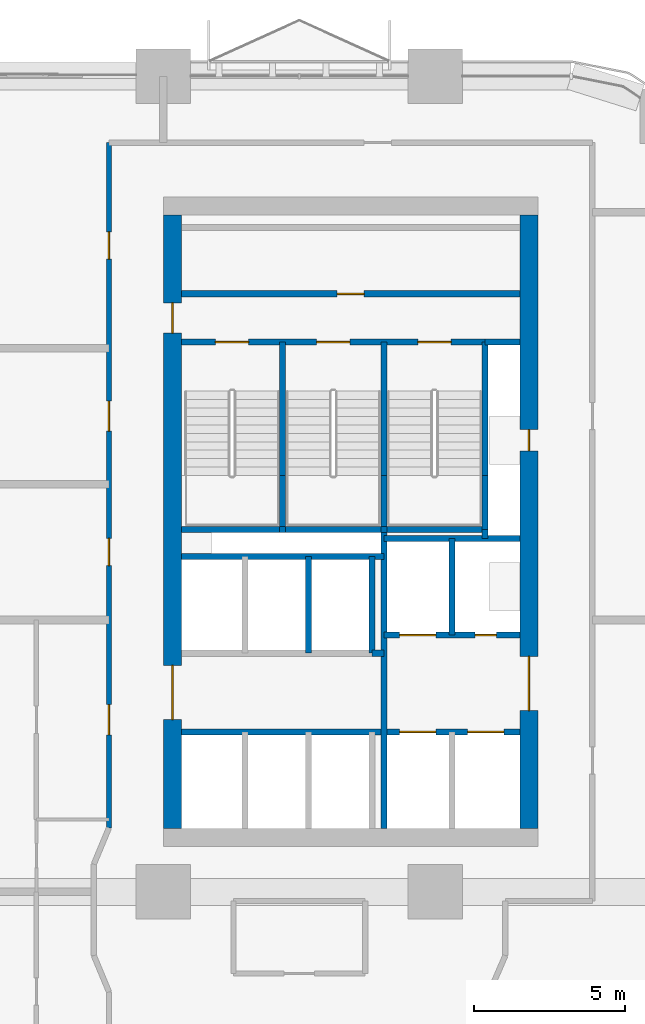
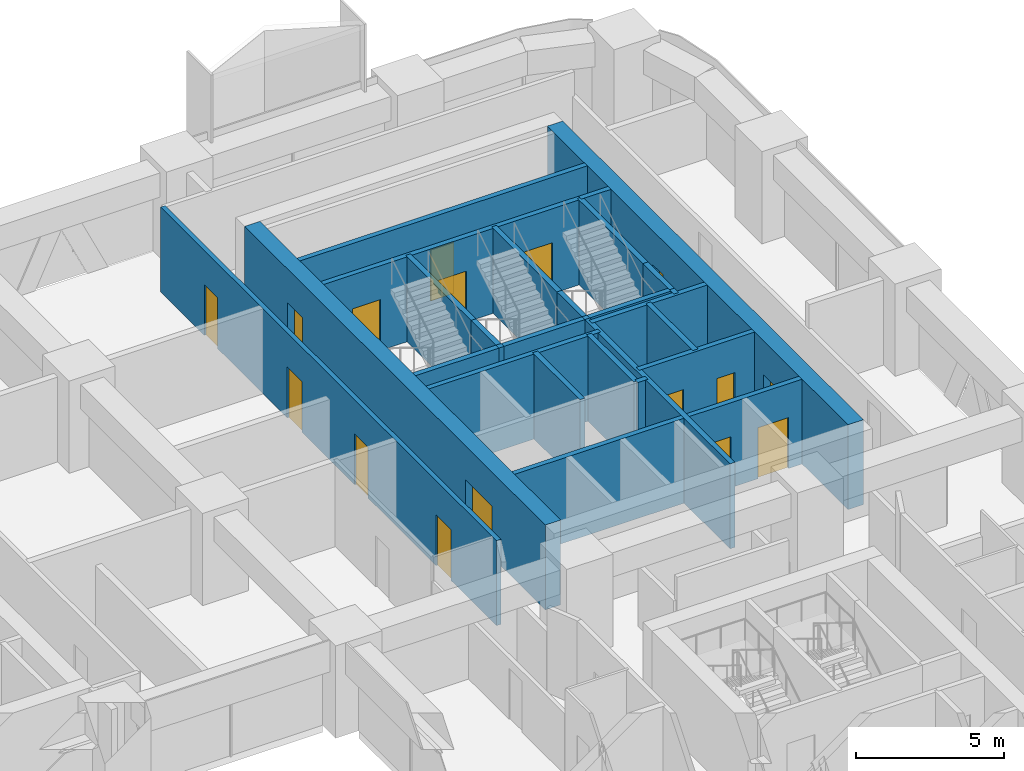
# One storey, part 15 of 26: 27 walls, 16 doors, 16 openings.
"""IFC4 building model written with IfcOpenShell, lengths in metres."""

from ifc_helpers import new_model, si_unit, direction, frame, frame_2d, origin, place, context, subcontext, project, spatial, rectangle, extrude, material, layer, layer_set, type_object, element, fill, save


model = new_model("IFC4")

# Units and contexts
model_context = context("Model", 3, precision=1e-05, world=origin(), true_north=direction((0.0, 1.0)))
body_context = subcontext(model_context, "Body", "Model", "MODEL_VIEW")
ifc_project = project(units=[si_unit("LENGTHUNIT", "METRE"), si_unit("AREAUNIT", "SQUARE_METRE"), si_unit("VOLUMEUNIT", "CUBIC_METRE"), si_unit("PLANEANGLEUNIT", "RADIAN"), si_unit("MASSUNIT", "GRAM", prefix="KILO")], contexts=[model_context])

# Site, building, storey
site_placement = place(None, origin())
site = spatial("IfcSite", under=ifc_project, at=site_placement, CompositionType="ELEMENT")
building_placement = place(site_placement, origin())
building = spatial("IfcBuilding", under=site, at=building_placement, Name="Tessera Arch", CompositionType="ELEMENT")
storey_placement = place(building_placement, frame((0.0, 0.0, 96.800048828125)))
storey = spatial("IfcBuildingStorey", under=building, at=storey_placement, Name="L22", CompositionType="ELEMENT", Elevation=96.800048828125)

# Wall
ifc_material_1 = material(Name="Gypsum board on steel stud", Category="steel")
ifc_layer_1 = layer(ifc_material_1, 0.125)
ifc_layer_set_1 = layer_set([ifc_layer_1], Name="Core partition 125 EI 60")
wall_type_1 = type_object("IfcWallType", Name="Core partition 125 EI 60", PredefinedType="PARTITIONING", material=ifc_layer_set_1)
wall_1_placement = place(storey_placement, frame((42.89990234375, 34.89990234375, 0.0), z_axis=(0.0, 0.0, 1.0), x_axis=(1.0, 0.0, 0.0)))
element("IfcWall", 1, at=wall_1_placement, inside=storey, type_object=wall_type_1, Name="L22 C1 partition wall 18", PredefinedType="PARTITIONING", context=body_context, shape_type="SweptSolid", body=[
    extrude(rectangle(XDim=0.400146484375, YDim=0.199951171875, at=frame_2d((0.2001953125, 0.0))), origin(), (0.0, 0.0, 1.0), 3.5),
])

# Wall, opening, door
wall_2_placement = place(storey_placement, frame((36.60009765625, 46.800048828125, 0.0), z_axis=(0.0, 0.0, 1.0), x_axis=(1.0, 0.0, 0.0)))
wall_2 = element("IfcWall", 2, at=wall_2_placement, inside=storey, type_object=wall_type_1, Name="L22 C1 partition wall 30", PredefinedType="PARTITIONING", context=body_context, shape_type="SweptSolid", body=[
    extrude(rectangle(XDim=11.199951171875, YDim=0.199951171875, at=frame_2d((5.60009765625, 0.0))), origin(), (0.0, 0.0, 1.0), 3.5),
])
opening_1_placement = place(wall_2_placement, frame((5.14990234375, 0.0, 0.0)))
opening_1 = element("IfcOpeningElement", 3, at=opening_1_placement, cuts=wall_2, Name="Opening L22-C12", PredefinedType="OPENING", context=body_context, shape_type="SweptSolid", body=[
    extrude(rectangle(XDim=0.89990234375, YDim=2.10009765625, at=frame_2d((0.449951171875, 1.050048828125))), frame((0.0, 0.10986328125, 0.0), z_axis=(0.0, -1.0, 0.0), x_axis=(1.0, 0.0, 0.0)), (0.0, 0.0, 1.0), 0.219970703125),
])
ifc_material_2 = material(Name="Steel door leaf", Category="steel")
door_type_1 = type_object("IfcDoorType", Name="Store door FD30S 900 x 2100", OperationType="SINGLE_SWING_LEFT", PredefinedType="DOOR", material=ifc_material_2)
door_1_placement = place(opening_1_placement, origin())
door_1 = element("IfcDoor", 4, at=door_1_placement, inside=storey, type_object=door_type_1, Name="L22 C1 door 12 C12 type D09", OperationType="SINGLE_SWING_RIGHT", OverallHeight=2.10009765625, OverallWidth=0.89990234375, PredefinedType="DOOR", context=body_context, shape_type="SweptSolid", body=[
    extrude(rectangle(XDim=0.89990234375, YDim=2.10009765625, at=frame_2d((0.449951171875, 1.050048828125))), frame((0.0, 0.02490234375, 0.0), z_axis=(0.0, -1.0, 0.0), x_axis=(1.0, 0.0, 0.0)), (0.0, 0.0, 1.0), 0.050048828125),
])
fill(opening_1, door_1)

# Wall, openings, doors
ifc_material_3 = material(Name="Concrete C70/85", Category="concrete")
ifc_layer_2 = layer(ifc_material_3, 0.60009765625)
ifc_layer_set_2 = layer_set([ifc_layer_2], Name="Core shell wall 600 C70-85")
wall_type_2 = type_object("IfcWallType", Name="Core shell wall 600 C70-85", PredefinedType="SHEAR", material=ifc_layer_set_2)
wall_3_placement = place(storey_placement, frame((36.300048828125, 29.10009765625, 0.0), z_axis=(0.0, 0.0, 1.0), x_axis=(0.0, 1.0, 0.0)))
wall_3 = element("IfcWall", 5, at=wall_3_placement, inside=storey, type_object=wall_type_2, Name="L22 C1 core wall W", PredefinedType="SHEAR", context=body_context, shape_type="SweptSolid", body=[
    extrude(rectangle(XDim=20.2998046875, YDim=0.60009765625, at=frame_2d((10.14990234375, 0.0))), origin(), (0.0, 0.0, 1.0), 3.5),
])
opening_2_placement = place(wall_3_placement, frame((3.60009765625, 0.0, 0.0)))
opening_2 = element("IfcOpeningElement", 6, at=opening_2_placement, cuts=wall_3, Name="Opening L22-C04", PredefinedType="OPENING", context=body_context, shape_type="SweptSolid", body=[
    extrude(rectangle(XDim=1.800048828125, YDim=2.10009765625, at=frame_2d((0.89990234375, 1.050048828125))), frame((0.0, 0.31005859375, 0.0), z_axis=(0.0, -1.0, 0.0), x_axis=(1.0, 0.0, 0.0)), (0.0, 0.0, 1.0), 0.6201171875),
])
opening_3_placement = place(wall_3_placement, frame((16.39990234375, 0.0, 0.0)))
opening_3 = element("IfcOpeningElement", 7, at=opening_3_placement, cuts=wall_3, Name="Opening L22-C11", PredefinedType="OPENING", context=body_context, shape_type="SweptSolid", body=[
    extrude(rectangle(XDim=1.0, YDim=2.10009765625, at=frame_2d((0.5, 1.050048828125))), frame((0.0, 0.31005859375, 0.0), z_axis=(0.0, -1.0, 0.0), x_axis=(1.0, 0.0, 0.0)), (0.0, 0.0, 1.0), 0.6201171875),
])
ifc_material_4 = material(Name="Steel door leaf", Category="steel")
door_type_2 = type_object("IfcDoorType", Name="Corridor door FD60 1000 x 2100", OperationType="SINGLE_SWING_LEFT", PredefinedType="DOOR", material=ifc_material_4)
door_2_placement = place(opening_3_placement, origin())
door_2 = element("IfcDoor", 8, at=door_2_placement, inside=storey, type_object=door_type_2, Name="L22 C1 door 11 C11 type D12", OperationType="SINGLE_SWING_RIGHT", OverallHeight=2.10009765625, OverallWidth=1.0, PredefinedType="DOOR", context=body_context, shape_type="SweptSolid", body=[
    extrude(rectangle(XDim=1.0, YDim=2.10009765625, at=frame_2d((0.5, 1.050048828125))), frame((0.0, 0.02490234375, 0.0), z_axis=(0.0, -1.0, 0.0), x_axis=(1.0, 0.0, 0.0)), (0.0, 0.0, 1.0), 0.050048828125),
])
fill(opening_3, door_2)
ifc_material_5 = material(Name="Glazed steel door leaf", Category="steel")
door_type_3 = type_object("IfcDoorType", Name="Lobby double door FD30S 1800 x 2100", OperationType="DOUBLE_DOOR_SINGLE_SWING", PredefinedType="DOOR", material=ifc_material_5)
door_3_placement = place(opening_2_placement, origin())
door_3 = element("IfcDoor", 9, at=door_3_placement, inside=storey, type_object=door_type_3, Name="L22 C1 door 4 C04 type D06", OperationType="DOUBLE_DOOR_SINGLE_SWING", OverallHeight=2.10009765625, OverallWidth=1.800048828125, PredefinedType="DOOR", context=body_context, shape_type="SweptSolid", body=[
    extrude(rectangle(XDim=1.800048828125, YDim=2.10009765625, at=frame_2d((0.89990234375, 1.050048828125))), frame((0.0, 0.02490234375, 0.0), z_axis=(0.0, -1.0, 0.0), x_axis=(1.0, 0.0, 0.0)), (0.0, 0.0, 1.0), 0.050048828125),
])
fill(opening_2, door_3)

wall_4_placement = place(storey_placement, frame((48.10009765625, 29.10009765625, 0.0), z_axis=(0.0, 0.0, 1.0), x_axis=(0.0, 1.0, 0.0)))
wall_4 = element("IfcWall", 10, at=wall_4_placement, inside=storey, type_object=wall_type_2, Name="L22 C1 core wall E", PredefinedType="SHEAR", context=body_context, shape_type="SweptSolid", body=[
    extrude(rectangle(XDim=20.2998046875, YDim=0.60009765625, at=frame_2d((10.14990234375, 0.0))), origin(), (0.0, 0.0, 1.0), 3.5),
])
opening_4_placement = place(wall_4_placement, frame((12.5, 0.0, 0.0)))
opening_4 = element("IfcOpeningElement", 11, at=opening_4_placement, cuts=wall_4, Name="Opening L22-C08", PredefinedType="OPENING", context=body_context, shape_type="SweptSolid", body=[
    extrude(rectangle(XDim=0.699951171875, YDim=2.10009765625, at=frame_2d((0.35009765625, 1.050048828125))), frame((0.0, 0.31005859375, 0.0), z_axis=(0.0, -1.0, 0.0), x_axis=(1.0, 0.0, 0.0)), (0.0, 0.0, 1.0), 0.6201171875),
])
opening_5_placement = place(wall_4_placement, frame((3.89990234375, 0.0, 0.0)))
opening_5 = element("IfcOpeningElement", 12, at=opening_5_placement, cuts=wall_4, Name="Opening L22-C09", PredefinedType="OPENING", context=body_context, shape_type="SweptSolid", body=[
    extrude(rectangle(XDim=1.800048828125, YDim=2.10009765625, at=frame_2d((0.89990234375, 1.050048828125))), frame((0.0, 0.31005859375, 0.0), z_axis=(0.0, -1.0, 0.0), x_axis=(1.0, 0.0, 0.0)), (0.0, 0.0, 1.0), 0.6201171875),
])
ifc_material_6 = material(Name="Glazed steel door leaf", Category="steel")
door_type_4 = type_object("IfcDoorType", Name="Lobby double door FD60 1800 x 2100", OperationType="DOUBLE_DOOR_SINGLE_SWING", PredefinedType="DOOR", material=ifc_material_6)
door_4_placement = place(opening_5_placement, origin())
door_4 = element("IfcDoor", 13, at=door_4_placement, inside=storey, type_object=door_type_4, Name="L22 C1 door 9 C09 type D19", OperationType="DOUBLE_DOOR_SINGLE_SWING", OverallHeight=2.10009765625, OverallWidth=1.800048828125, PredefinedType="DOOR", context=body_context, shape_type="SweptSolid", body=[
    extrude(rectangle(XDim=1.800048828125, YDim=2.10009765625, at=frame_2d((0.89990234375, 1.050048828125))), frame((0.0, 0.02490234375, 0.0), z_axis=(0.0, -1.0, 0.0), x_axis=(1.0, 0.0, 0.0)), (0.0, 0.0, 1.0), 0.050048828125),
])
fill(opening_5, door_4)
ifc_material_7 = material(Name="Steel door leaf", Category="steel")
door_type_5 = type_object("IfcDoorType", Name="Service shaft door FD60 700 x 2100", OperationType="SINGLE_SWING_LEFT", PredefinedType="DOOR", material=ifc_material_7)
door_5_placement = place(opening_4_placement, origin())
door_5 = element("IfcDoor", 14, at=door_5_placement, inside=storey, type_object=door_type_5, Name="L22 C1 door 8 C08 type D07", OperationType="SINGLE_SWING_RIGHT", OverallHeight=2.10009765625, OverallWidth=0.699951171875, PredefinedType="DOOR", context=body_context, shape_type="SweptSolid", body=[
    extrude(rectangle(XDim=0.699951171875, YDim=2.10009765625, at=frame_2d((0.35009765625, 1.050048828125))), frame((0.0, 0.02490234375, 0.0), z_axis=(0.0, -1.0, 0.0), x_axis=(1.0, 0.0, 0.0)), (0.0, 0.0, 1.0), 0.050048828125),
])
fill(opening_4, door_5)

ifc_material_8 = material(Name="Gypsum board on deep steel stud with mineral wool", Category="steel")
ifc_layer_3 = layer(ifc_material_8, 0.175048828125)
ifc_layer_set_3 = layer_set([ifc_layer_3], Name="Corridor wall 175 EI 60")
wall_type_3 = type_object("IfcWallType", Name="Corridor wall 175 EI 60", PredefinedType="PARTITIONING", material=ifc_layer_set_3)
wall_5_placement = place(storey_placement, frame((34.199951171875, 29.1201171875, 0.0), z_axis=(0.0, 0.0, 1.0), x_axis=(0.0, 1.0, 0.0)))
wall_5 = element("IfcWall", 15, at=wall_5_placement, inside=storey, type_object=wall_type_3, Name="L22 partition 13", PredefinedType="PARTITIONING", context=body_context, shape_type="SweptSolid", body=[
    extrude(rectangle(XDim=22.679931640625, YDim=0.175048828125, at=frame_2d((11.33984375, 0.0))), origin(), (0.0, 0.0, 1.0), 3.5),
])
opening_6_placement = place(wall_5_placement, frame((3.080078125, 0.0, 0.0)))
opening_6 = element("IfcOpeningElement", 16, at=opening_6_placement, cuts=wall_5, Name="Opening L22-D022", PredefinedType="OPENING", context=body_context, shape_type="SweptSolid", body=[
    extrude(rectangle(XDim=1.0, YDim=2.10009765625, at=frame_2d((0.5, 1.050048828125))), frame((0.0, 0.097412109375, 0.0), z_axis=(0.0, -1.0, 0.0), x_axis=(1.0, 0.0, 0.0)), (0.0, 0.0, 1.0), 0.195068359375),
])
opening_7_placement = place(wall_5_placement, frame((8.679931640625, 0.0, 0.0)))
opening_7 = element("IfcOpeningElement", 17, at=opening_7_placement, cuts=wall_5, Name="Opening L22-D025", PredefinedType="OPENING", context=body_context, shape_type="SweptSolid", body=[
    extrude(rectangle(XDim=0.89990234375, YDim=2.10009765625, at=frame_2d((0.449951171875, 1.050048828125))), frame((0.0, 0.097412109375, 0.0), z_axis=(0.0, -1.0, 0.0), x_axis=(1.0, 0.0, 0.0)), (0.0, 0.0, 1.0), 0.195068359375),
])
opening_8_placement = place(wall_5_placement, frame((13.1298828125, 0.0, 0.0)))
opening_8 = element("IfcOpeningElement", 18, at=opening_8_placement, cuts=wall_5, Name="Opening L22-D028", PredefinedType="OPENING", context=body_context, shape_type="SweptSolid", body=[
    extrude(rectangle(XDim=1.0, YDim=2.10009765625, at=frame_2d((0.5, 1.050048828125))), frame((0.0, 0.097412109375, 0.0), z_axis=(0.0, -1.0, 0.0), x_axis=(1.0, 0.0, 0.0)), (0.0, 0.0, 1.0), 0.195068359375),
])
opening_9_placement = place(wall_5_placement, frame((18.830078125, 0.0, 0.0)))
opening_9 = element("IfcOpeningElement", 19, at=opening_9_placement, cuts=wall_5, Name="Opening L22-D032", PredefinedType="OPENING", context=body_context, shape_type="SweptSolid", body=[
    extrude(rectangle(XDim=0.89990234375, YDim=2.10009765625, at=frame_2d((0.449951171875, 1.050048828125))), frame((0.0, 0.097412109375, 0.0), z_axis=(0.0, -1.0, 0.0), x_axis=(1.0, 0.0, 0.0)), (0.0, 0.0, 1.0), 0.195068359375),
])
ifc_material_9 = material(Name="Fire-rated door leaf")
door_type_6 = type_object("IfcDoorType", Name="Entrance door FD30S 1000 x 2100", OperationType="SINGLE_SWING_LEFT", PredefinedType="DOOR", material=ifc_material_9)
door_6_placement = place(opening_6_placement, origin())
door_6 = element("IfcDoor", 20, at=door_6_placement, inside=storey, type_object=door_type_6, Name="L22 door D022 type D03", OperationType="SINGLE_SWING_RIGHT", OverallHeight=2.10009765625, OverallWidth=1.0, PredefinedType="DOOR", context=body_context, shape_type="SweptSolid", body=[
    extrude(rectangle(XDim=1.0, YDim=2.10009765625, at=frame_2d((0.5, 1.050048828125))), frame((0.0, 0.02490234375, 0.0), z_axis=(0.0, -1.0, 0.0), x_axis=(1.0, 0.0, 0.0)), (0.0, 0.0, 1.0), 0.050048828125),
])
fill(opening_6, door_6)
door_7_placement = place(opening_8_placement, origin())
door_7 = element("IfcDoor", 21, at=door_7_placement, inside=storey, type_object=door_type_6, Name="L22 door D028 type D03", OperationType="SINGLE_SWING_RIGHT", OverallHeight=2.10009765625, OverallWidth=1.0, PredefinedType="DOOR", context=body_context, shape_type="SweptSolid", body=[
    extrude(rectangle(XDim=1.0, YDim=2.10009765625, at=frame_2d((0.5, 1.050048828125))), frame((0.0, 0.02490234375, 0.0), z_axis=(0.0, -1.0, 0.0), x_axis=(1.0, 0.0, 0.0)), (0.0, 0.0, 1.0), 0.050048828125),
])
fill(opening_8, door_7)
ifc_material_10 = material(Name="Timber door leaf", Category="wood")
door_type_7 = type_object("IfcDoorType", Name="Room door 900 x 2100", OperationType="SINGLE_SWING_LEFT", PredefinedType="DOOR", material=ifc_material_10)
door_8_placement = place(opening_7_placement, origin())
door_8 = element("IfcDoor", 22, at=door_8_placement, inside=storey, type_object=door_type_7, Name="L22 door D025 type D01", OperationType="SINGLE_SWING_LEFT", OverallHeight=2.10009765625, OverallWidth=0.89990234375, PredefinedType="DOOR", context=body_context, shape_type="SweptSolid", body=[
    extrude(rectangle(XDim=0.89990234375, YDim=2.10009765625, at=frame_2d((0.449951171875, 1.050048828125))), frame((0.0, 0.02490234375, 0.0), z_axis=(0.0, -1.0, 0.0), x_axis=(1.0, 0.0, 0.0)), (0.0, 0.0, 1.0), 0.050048828125),
])
fill(opening_7, door_8)
door_9_placement = place(opening_9_placement, origin())
door_9 = element("IfcDoor", 23, at=door_9_placement, inside=storey, type_object=door_type_7, Name="L22 door D032 type D01", OperationType="SINGLE_SWING_RIGHT", OverallHeight=2.10009765625, OverallWidth=0.89990234375, PredefinedType="DOOR", context=body_context, shape_type="SweptSolid", body=[
    extrude(rectangle(XDim=0.89990234375, YDim=2.10009765625, at=frame_2d((0.449951171875, 1.050048828125))), frame((0.0, 0.02490234375, 0.0), z_axis=(0.0, -1.0, 0.0), x_axis=(1.0, 0.0, 0.0)), (0.0, 0.0, 1.0), 0.050048828125),
])
fill(opening_9, door_9)

# Walls
ifc_material_11 = material(Name="Concrete C40/50", Category="concrete")
ifc_layer_4 = layer(ifc_material_11, 0.199951171875)
ifc_layer_set_4 = layer_set([ifc_layer_4], Name="Shaft wall 200 EI 120")
wall_type_4 = type_object("IfcWallType", Name="Shaft wall 200 EI 120", PredefinedType="SOLIDWALL", material=ifc_layer_set_4)
for number, where, z_axis, x_axis, name in (
    (24, (40.800048828125, 34.89990234375, 0.0), (0.0, 0.0, 1.0), (0.0, 1.0, 0.0), "L22 C1 shaft wall 6"),
    (25, (42.89990234375, 34.89990234375, 0.0), (0.0, 0.0, 1.0), (0.0, 1.0, 0.0), "L22 C1 shaft wall 8"),
):
    element("IfcWall", number, at=place(storey_placement, frame(where, z_axis=z_axis, x_axis=x_axis)), inside=storey, type_object=wall_type_4, Name=name, PredefinedType="SOLIDWALL", context=body_context, shape_type="SweptSolid", body=[
        extrude(rectangle(XDim=3.2001953125, YDim=0.199951171875, at=frame_2d((1.60009765625, 0.0))), origin(), (0.0, 0.0, 1.0), 3.5),
    ])
wall_6_placement = place(storey_placement, frame((43.300048828125, 29.10009765625, 0.0), z_axis=(0.0, 0.0, 1.0), x_axis=(0.0, 1.0, 0.0)))
element("IfcWall", 26, at=wall_6_placement, inside=storey, type_object=wall_type_4, Name="L22 C1 shaft wall 9", PredefinedType="SOLIDWALL", context=body_context, shape_type="SweptSolid", body=[
    extrude(rectangle(XDim=9.89990234375, YDim=0.199951171875, at=frame_2d((4.949951171875, 0.0))), origin(), (0.0, 0.0, 1.0), 3.5),
])
wall_7_placement = place(storey_placement, frame((45.550048828125, 35.5, 0.0), z_axis=(0.0, 0.0, 1.0), x_axis=(0.0, 1.0, 0.0)))
element("IfcWall", 27, at=wall_7_placement, inside=storey, type_object=wall_type_4, Name="L22 C1 shaft wall 13", PredefinedType="SOLIDWALL", context=body_context, shape_type="SweptSolid", body=[
    extrude(rectangle(XDim=3.199951171875, YDim=0.199951171875, at=frame_2d((1.60009765625, 0.0))), origin(), (0.0, 0.0, 1.0), 3.5),
])
wall_8_placement = place(storey_placement, frame((46.64990234375, 38.699951171875, 0.0), z_axis=(0.0, 0.0, 1.0), x_axis=(0.0, 1.0, 0.0)))
element("IfcWall", 28, at=wall_8_placement, inside=storey, type_object=wall_type_4, Name="L22 C1 shaft wall 14", PredefinedType="SOLIDWALL", context=body_context, shape_type="SweptSolid", body=[
    extrude(rectangle(XDim=0.300048828125, YDim=0.199951171875, at=frame_2d((0.14990234375, 0.0))), origin(), (0.0, 0.0, 1.0), 3.5),
])

# Wall, openings, doors
wall_9_placement = place(storey_placement, frame((36.60009765625, 32.300048828125, 0.0), z_axis=(0.0, 0.0, 1.0), x_axis=(1.0, 0.0, 0.0)))
wall_9 = element("IfcWall", 29, at=wall_9_placement, inside=storey, type_object=wall_type_4, Name="L22 C1 shaft wall 17", PredefinedType="SOLIDWALL", context=body_context, shape_type="SweptSolid", body=[
    extrude(rectangle(XDim=11.199951171875, YDim=0.199951171875, at=frame_2d((5.60009765625, 0.0))), origin(), (0.0, 0.0, 1.0), 3.5),
])
opening_10_placement = place(wall_9_placement, frame((7.22509765625, 0.0, 0.0)))
opening_10 = element("IfcOpeningElement", 30, at=opening_10_placement, cuts=wall_9, Name="Opening L22-C01", PredefinedType="OPENING", context=body_context, shape_type="SweptSolid", body=[
    extrude(rectangle(XDim=1.199951171875, YDim=2.10009765625, at=frame_2d((0.60009765625, 1.050048828125))), frame((0.0, 0.10986328125, 0.0), z_axis=(0.0, -1.0, 0.0), x_axis=(1.0, 0.0, 0.0)), (0.0, 0.0, 1.0), 0.219970703125),
])
opening_11_placement = place(wall_9_placement, frame((9.47509765625, 0.0, 0.0)))
opening_11 = element("IfcOpeningElement", 31, at=opening_11_placement, cuts=wall_9, Name="Opening L22-C02", PredefinedType="OPENING", context=body_context, shape_type="SweptSolid", body=[
    extrude(rectangle(XDim=1.199951171875, YDim=2.10009765625, at=frame_2d((0.60009765625, 1.050048828125))), frame((0.0, 0.10986328125, 0.0), z_axis=(0.0, -1.0, 0.0), x_axis=(1.0, 0.0, 0.0)), (0.0, 0.0, 1.0), 0.219970703125),
])
ifc_material_12 = material(Name="Stainless steel AISI 304", Category="steel")
door_type_8 = type_object("IfcDoorType", Name="Sliding landing door 1200 x 2100", OperationType="SLIDING_TO_LEFT", PredefinedType="DOOR", material=ifc_material_12)
door_10_placement = place(opening_10_placement, origin())
door_10 = element("IfcDoor", 32, at=door_10_placement, inside=storey, type_object=door_type_8, Name="L22 FF1 lift landing door C01 type LD", OperationType="SLIDING_TO_LEFT", OverallHeight=2.10009765625, OverallWidth=1.199951171875, PredefinedType="DOOR", context=body_context, shape_type="SweptSolid", body=[
    extrude(rectangle(XDim=1.199951171875, YDim=2.10009765625, at=frame_2d((0.60009765625, 1.050048828125))), frame((0.0, 0.02490234375, 0.0), z_axis=(0.0, -1.0, 0.0), x_axis=(1.0, 0.0, 0.0)), (0.0, 0.0, 1.0), 0.050048828125),
])
fill(opening_10, door_10)
door_11_placement = place(opening_11_placement, origin())
door_11 = element("IfcDoor", 33, at=door_11_placement, inside=storey, type_object=door_type_8, Name="L22 FF2 lift landing door C02 type LD", OperationType="SLIDING_TO_LEFT", OverallHeight=2.10009765625, OverallWidth=1.199951171875, PredefinedType="DOOR", context=body_context, shape_type="SweptSolid", body=[
    extrude(rectangle(XDim=1.199951171875, YDim=2.10009765625, at=frame_2d((0.60009765625, 1.050048828125))), frame((0.0, 0.02490234375, 0.0), z_axis=(0.0, -1.0, 0.0), x_axis=(1.0, 0.0, 0.0)), (0.0, 0.0, 1.0), 0.050048828125),
])
fill(opening_11, door_11)

wall_10_placement = place(storey_placement, frame((43.300048828125, 35.5, 0.0), z_axis=(0.0, 0.0, 1.0), x_axis=(1.0, 0.0, 0.0)))
wall_10 = element("IfcWall", 34, at=wall_10_placement, inside=storey, type_object=wall_type_4, Name="L22 C1 shaft wall 20", PredefinedType="SOLIDWALL", context=body_context, shape_type="SweptSolid", body=[
    extrude(rectangle(XDim=4.5, YDim=0.199951171875, at=frame_2d((2.25, 0.0))), origin(), (0.0, 0.0, 1.0), 3.5),
])
opening_12_placement = place(wall_10_placement, frame((0.52490234375, 0.0, 0.0)))
opening_12 = element("IfcOpeningElement", 35, at=opening_12_placement, cuts=wall_10, Name="Opening L22-C03", PredefinedType="OPENING", context=body_context, shape_type="SweptSolid", body=[
    extrude(rectangle(XDim=1.199951171875, YDim=2.10009765625, at=frame_2d((0.60009765625, 1.050048828125))), frame((0.0, 0.10986328125, 0.0), z_axis=(0.0, -1.0, 0.0), x_axis=(1.0, 0.0, 0.0)), (0.0, 0.0, 1.0), 0.219970703125),
])
opening_13_placement = place(wall_10_placement, frame((3.02490234375, 0.0, 0.0)))
opening_13 = element("IfcOpeningElement", 36, at=opening_13_placement, cuts=wall_10, Name="Opening L22-C10", PredefinedType="OPENING", context=body_context, shape_type="SweptSolid", body=[
    extrude(rectangle(XDim=0.699951171875, YDim=2.10009765625, at=frame_2d((0.35009765625, 1.050048828125))), frame((0.0, 0.10986328125, 0.0), z_axis=(0.0, -1.0, 0.0), x_axis=(1.0, 0.0, 0.0)), (0.0, 0.0, 1.0), 0.219970703125),
])
door_12_placement = place(opening_13_placement, origin())
door_12 = element("IfcDoor", 37, at=door_12_placement, inside=storey, type_object=door_type_5, Name="L22 C1 door 10 C10 type D07", OperationType="SINGLE_SWING_RIGHT", OverallHeight=2.10009765625, OverallWidth=0.699951171875, PredefinedType="DOOR", context=body_context, shape_type="SweptSolid", body=[
    extrude(rectangle(XDim=0.699951171875, YDim=2.10009765625, at=frame_2d((0.35009765625, 1.050048828125))), frame((0.0, 0.02490234375, 0.0), z_axis=(0.0, -1.0, 0.0), x_axis=(1.0, 0.0, 0.0)), (0.0, 0.0, 1.0), 0.050048828125),
])
fill(opening_13, door_12)
door_13_placement = place(opening_12_placement, origin())
door_13 = element("IfcDoor", 38, at=door_13_placement, inside=storey, type_object=door_type_8, Name="L22 SV2 lift landing door C03 type LD", OperationType="SLIDING_TO_LEFT", OverallHeight=2.10009765625, OverallWidth=1.199951171875, PredefinedType="DOOR", context=body_context, shape_type="SweptSolid", body=[
    extrude(rectangle(XDim=1.199951171875, YDim=2.10009765625, at=frame_2d((0.60009765625, 1.050048828125))), frame((0.0, 0.02490234375, 0.0), z_axis=(0.0, -1.0, 0.0), x_axis=(1.0, 0.0, 0.0)), (0.0, 0.0, 1.0), 0.050048828125),
])
fill(opening_12, door_13)

# Walls
wall_11_placement = place(storey_placement, frame((36.60009765625, 38.10009765625, 0.0), z_axis=(0.0, 0.0, 1.0), x_axis=(1.0, 0.0, 0.0)))
element("IfcWall", 39, at=wall_11_placement, inside=storey, type_object=wall_type_4, Name="L22 C1 shaft wall 21", PredefinedType="SOLIDWALL", context=body_context, shape_type="SweptSolid", body=[
    extrude(rectangle(XDim=6.699951171875, YDim=0.199951171875, at=frame_2d((3.35009765625, 0.0))), origin(), (0.0, 0.0, 1.0), 3.5),
])
wall_12_placement = place(storey_placement, frame((43.300048828125, 38.699951171875, 0.0), z_axis=(0.0, 0.0, 1.0), x_axis=(1.0, 0.0, 0.0)))
element("IfcWall", 40, at=wall_12_placement, inside=storey, type_object=wall_type_4, Name="L22 C1 shaft wall 22", PredefinedType="SOLIDWALL", context=body_context, shape_type="SweptSolid", body=[
    extrude(rectangle(XDim=4.5, YDim=0.199951171875, at=frame_2d((2.25, 0.0))), origin(), (0.0, 0.0, 1.0), 3.5),
])
wall_13_placement = place(storey_placement, frame((46.64990234375, 45.199951171875, 0.0), z_axis=(0.0, 0.0, 1.0), x_axis=(1.0, 0.0, 0.0)))
element("IfcWall", 41, at=wall_13_placement, inside=storey, type_object=wall_type_4, Name="L22 C1 shaft wall 28", PredefinedType="SOLIDWALL", context=body_context, shape_type="SweptSolid", body=[
    extrude(rectangle(XDim=1.150146484375, YDim=0.199951171875, at=frame_2d((0.5751953125, 0.0))), origin(), (0.0, 0.0, 1.0), 3.5),
])
ifc_material_13 = material(Name="Concrete C40/50", Category="concrete")
ifc_layer_5 = layer(ifc_material_13, 0.199951171875)
ifc_layer_set_5 = layer_set([ifc_layer_5], Name="Stair well wall 200 REI 180")
wall_type_5 = type_object("IfcWallType", Name="Stair well wall 200 REI 180", PredefinedType="SOLIDWALL", material=ifc_layer_set_5)
wall_14_placement = place(storey_placement, frame((39.949951171875, 39.0, 0.0), z_axis=(0.0, 0.0, 1.0), x_axis=(0.0, 1.0, 0.0)))
element("IfcWall", 42, at=wall_14_placement, inside=storey, type_object=wall_type_5, Name="L22 C1 shaft wall 3", PredefinedType="SOLIDWALL", context=body_context, shape_type="SweptSolid", body=[
    extrude(rectangle(XDim=1.780029296875, YDim=0.199951171875, at=frame_2d((0.89013671875, 0.0))), origin(), (0.0, 0.0, 1.0), 3.5),
])
wall_15_placement = place(storey_placement, frame((39.949951171875, 40.780029296875, 0.0), z_axis=(0.0, 0.0, 1.0), x_axis=(0.0, 1.0, 0.0)))
element("IfcWall", 43, at=wall_15_placement, inside=storey, type_object=wall_type_5, Name="L22 C1 shaft wall 4", PredefinedType="SOLIDWALL", context=body_context, shape_type="SweptSolid", body=[
    extrude(rectangle(XDim=4.419921875, YDim=0.199951171875, at=frame_2d((2.2099609375, 0.0))), origin(), (0.0, 0.0, 1.0), 3.5),
])
wall_16_placement = place(storey_placement, frame((43.300048828125, 39.0, 0.0), z_axis=(0.0, 0.0, 1.0), x_axis=(0.0, 1.0, 0.0)))
element("IfcWall", 44, at=wall_16_placement, inside=storey, type_object=wall_type_5, Name="L22 C1 shaft wall 10", PredefinedType="SOLIDWALL", context=body_context, shape_type="SweptSolid", body=[
    extrude(rectangle(XDim=1.780029296875, YDim=0.199951171875, at=frame_2d((0.89013671875, 0.0))), origin(), (0.0, 0.0, 1.0), 3.5),
])
wall_17_placement = place(storey_placement, frame((43.300048828125, 40.780029296875, 0.0), z_axis=(0.0, 0.0, 1.0), x_axis=(0.0, 1.0, 0.0)))
element("IfcWall", 45, at=wall_17_placement, inside=storey, type_object=wall_type_5, Name="L22 C1 shaft wall 11", PredefinedType="SOLIDWALL", context=body_context, shape_type="SweptSolid", body=[
    extrude(rectangle(XDim=4.419921875, YDim=0.199951171875, at=frame_2d((2.2099609375, 0.0))), origin(), (0.0, 0.0, 1.0), 3.5),
])
wall_18_placement = place(storey_placement, frame((46.64990234375, 39.0, 0.0), z_axis=(0.0, 0.0, 1.0), x_axis=(0.0, 1.0, 0.0)))
element("IfcWall", 46, at=wall_18_placement, inside=storey, type_object=wall_type_5, Name="L22 C1 shaft wall 15", PredefinedType="SOLIDWALL", context=body_context, shape_type="SweptSolid", body=[
    extrude(rectangle(XDim=1.780029296875, YDim=0.199951171875, at=frame_2d((0.89013671875, 0.0))), origin(), (0.0, 0.0, 1.0), 3.5),
])
wall_19_placement = place(storey_placement, frame((46.64990234375, 40.780029296875, 0.0), z_axis=(0.0, 0.0, 1.0), x_axis=(0.0, 1.0, 0.0)))
element("IfcWall", 47, at=wall_19_placement, inside=storey, type_object=wall_type_5, Name="L22 C1 shaft wall 16", PredefinedType="SOLIDWALL", context=body_context, shape_type="SweptSolid", body=[
    extrude(rectangle(XDim=4.419921875, YDim=0.199951171875, at=frame_2d((2.2099609375, 0.0))), origin(), (0.0, 0.0, 1.0), 3.5),
])
wall_20_placement = place(storey_placement, frame((36.60009765625, 39.0, 0.0), z_axis=(0.0, 0.0, 1.0), x_axis=(1.0, 0.0, 0.0)))
element("IfcWall", 48, at=wall_20_placement, inside=storey, type_object=wall_type_5, Name="L22 C1 shaft wall 23", PredefinedType="SOLIDWALL", context=body_context, shape_type="SweptSolid", body=[
    extrude(rectangle(XDim=3.25, YDim=0.199951171875, at=frame_2d((1.625, 0.0))), origin(), (0.0, 0.0, 1.0), 3.5),
])
wall_21_placement = place(storey_placement, frame((39.85009765625, 39.0, 0.0), z_axis=(0.0, 0.0, 1.0), x_axis=(1.0, 0.0, 0.0)))
element("IfcWall", 49, at=wall_21_placement, inside=storey, type_object=wall_type_5, Name="L22 C1 shaft wall 24", PredefinedType="SOLIDWALL", context=body_context, shape_type="SweptSolid", body=[
    extrude(rectangle(XDim=0.199951171875, YDim=0.199951171875, at=frame_2d((0.10009765625, 0.0))), origin(), (0.0, 0.0, 1.0), 3.5),
])
wall_22_placement = place(storey_placement, frame((40.050048828125, 39.0, 0.0), z_axis=(0.0, 0.0, 1.0), x_axis=(1.0, 0.0, 0.0)))
element("IfcWall", 50, at=wall_22_placement, inside=storey, type_object=wall_type_5, Name="L22 C1 shaft wall 25", PredefinedType="SOLIDWALL", context=body_context, shape_type="SweptSolid", body=[
    extrude(rectangle(XDim=3.14990234375, YDim=0.199951171875, at=frame_2d((1.574951171875, 0.0))), origin(), (0.0, 0.0, 1.0), 3.5),
])
wall_23_placement = place(storey_placement, frame((43.199951171875, 39.0, 0.0), z_axis=(0.0, 0.0, 1.0), x_axis=(1.0, 0.0, 0.0)))
element("IfcWall", 51, at=wall_23_placement, inside=storey, type_object=wall_type_5, Name="L22 C1 shaft wall 26", PredefinedType="SOLIDWALL", context=body_context, shape_type="SweptSolid", body=[
    extrude(rectangle(XDim=0.199951171875, YDim=0.199951171875, at=frame_2d((0.10009765625, 0.0))), origin(), (0.0, 0.0, 1.0), 3.5),
])
wall_24_placement = place(storey_placement, frame((43.39990234375, 39.0, 0.0), z_axis=(0.0, 0.0, 1.0), x_axis=(1.0, 0.0, 0.0)))
element("IfcWall", 52, at=wall_24_placement, inside=storey, type_object=wall_type_5, Name="L22 C1 shaft wall 27", PredefinedType="SOLIDWALL", context=body_context, shape_type="SweptSolid", body=[
    extrude(rectangle(XDim=3.25, YDim=0.199951171875, at=frame_2d((1.625, 0.0))), origin(), (0.0, 0.0, 1.0), 3.5),
])

# Wall, openings, doors
wall_25_placement = place(storey_placement, frame((36.60009765625, 45.199951171875, 0.0), z_axis=(0.0, 0.0, 1.0), x_axis=(1.0, 0.0, 0.0)))
wall_25 = element("IfcWall", 53, at=wall_25_placement, inside=storey, type_object=wall_type_5, Name="L22 C1 shaft wall 29", PredefinedType="SOLIDWALL", context=body_context, shape_type="SweptSolid", body=[
    extrude(rectangle(XDim=10.0498046875, YDim=0.199951171875, at=frame_2d((5.02490234375, 0.0))), origin(), (0.0, 0.0, 1.0), 3.5),
])
opening_14_placement = place(wall_25_placement, frame((1.125, 0.0, 0.0)))
opening_14 = element("IfcOpeningElement", 54, at=opening_14_placement, cuts=wall_25, Name="Opening L22-C05", PredefinedType="OPENING", context=body_context, shape_type="SweptSolid", body=[
    extrude(rectangle(XDim=1.10009765625, YDim=2.10009765625, at=frame_2d((0.550048828125, 1.050048828125))), frame((0.0, 0.10986328125, 0.0), z_axis=(0.0, -1.0, 0.0), x_axis=(1.0, 0.0, 0.0)), (0.0, 0.0, 1.0), 0.219970703125),
])
opening_15_placement = place(wall_25_placement, frame((4.47509765625, 0.0, 0.0)))
opening_15 = element("IfcOpeningElement", 55, at=opening_15_placement, cuts=wall_25, Name="Opening L22-C06", PredefinedType="OPENING", context=body_context, shape_type="SweptSolid", body=[
    extrude(rectangle(XDim=1.10009765625, YDim=2.10009765625, at=frame_2d((0.550048828125, 1.050048828125))), frame((0.0, 0.10986328125, 0.0), z_axis=(0.0, -1.0, 0.0), x_axis=(1.0, 0.0, 0.0)), (0.0, 0.0, 1.0), 0.219970703125),
])
opening_16_placement = place(wall_25_placement, frame((7.824951171875, 0.0, 0.0)))
opening_16 = element("IfcOpeningElement", 56, at=opening_16_placement, cuts=wall_25, Name="Opening L22-C07", PredefinedType="OPENING", context=body_context, shape_type="SweptSolid", body=[
    extrude(rectangle(XDim=1.10009765625, YDim=2.10009765625, at=frame_2d((0.550048828125, 1.050048828125))), frame((0.0, 0.10986328125, 0.0), z_axis=(0.0, -1.0, 0.0), x_axis=(1.0, 0.0, 0.0)), (0.0, 0.0, 1.0), 0.219970703125),
])
ifc_material_14 = material(Name="Steel door leaf", Category="steel")
door_type_9 = type_object("IfcDoorType", Name="Stair door FD60 1100 x 2100", OperationType="SINGLE_SWING_LEFT", PredefinedType="DOOR", material=ifc_material_14)
door_14_placement = place(opening_14_placement, origin())
door_14 = element("IfcDoor", 57, at=door_14_placement, inside=storey, type_object=door_type_9, Name="L22 C1 door 5 C05 type D05", OperationType="SINGLE_SWING_LEFT", OverallHeight=2.10009765625, OverallWidth=1.10009765625, PredefinedType="DOOR", context=body_context, shape_type="SweptSolid", body=[
    extrude(rectangle(XDim=1.10009765625, YDim=2.10009765625, at=frame_2d((0.550048828125, 1.050048828125))), frame((0.0, 0.02490234375, 0.0), z_axis=(0.0, -1.0, 0.0), x_axis=(1.0, 0.0, 0.0)), (0.0, 0.0, 1.0), 0.050048828125),
])
fill(opening_14, door_14)
door_15_placement = place(opening_15_placement, origin())
door_15 = element("IfcDoor", 58, at=door_15_placement, inside=storey, type_object=door_type_9, Name="L22 C1 door 6 C06 type D05", OperationType="SINGLE_SWING_RIGHT", OverallHeight=2.10009765625, OverallWidth=1.10009765625, PredefinedType="DOOR", context=body_context, shape_type="SweptSolid", body=[
    extrude(rectangle(XDim=1.10009765625, YDim=2.10009765625, at=frame_2d((0.550048828125, 1.050048828125))), frame((0.0, 0.02490234375, 0.0), z_axis=(0.0, -1.0, 0.0), x_axis=(1.0, 0.0, 0.0)), (0.0, 0.0, 1.0), 0.050048828125),
])
fill(opening_15, door_15)
door_16_placement = place(opening_16_placement, origin())
door_16 = element("IfcDoor", 59, at=door_16_placement, inside=storey, type_object=door_type_9, Name="L22 C1 door 7 C07 type D05", OperationType="SINGLE_SWING_RIGHT", OverallHeight=2.10009765625, OverallWidth=1.10009765625, PredefinedType="DOOR", context=body_context, shape_type="SweptSolid", body=[
    extrude(rectangle(XDim=1.10009765625, YDim=2.10009765625, at=frame_2d((0.550048828125, 1.050048828125))), frame((0.0, 0.02490234375, 0.0), z_axis=(0.0, -1.0, 0.0), x_axis=(1.0, 0.0, 0.0)), (0.0, 0.0, 1.0), 0.050048828125),
])
fill(opening_16, door_16)

save(model, "model.ifc")
